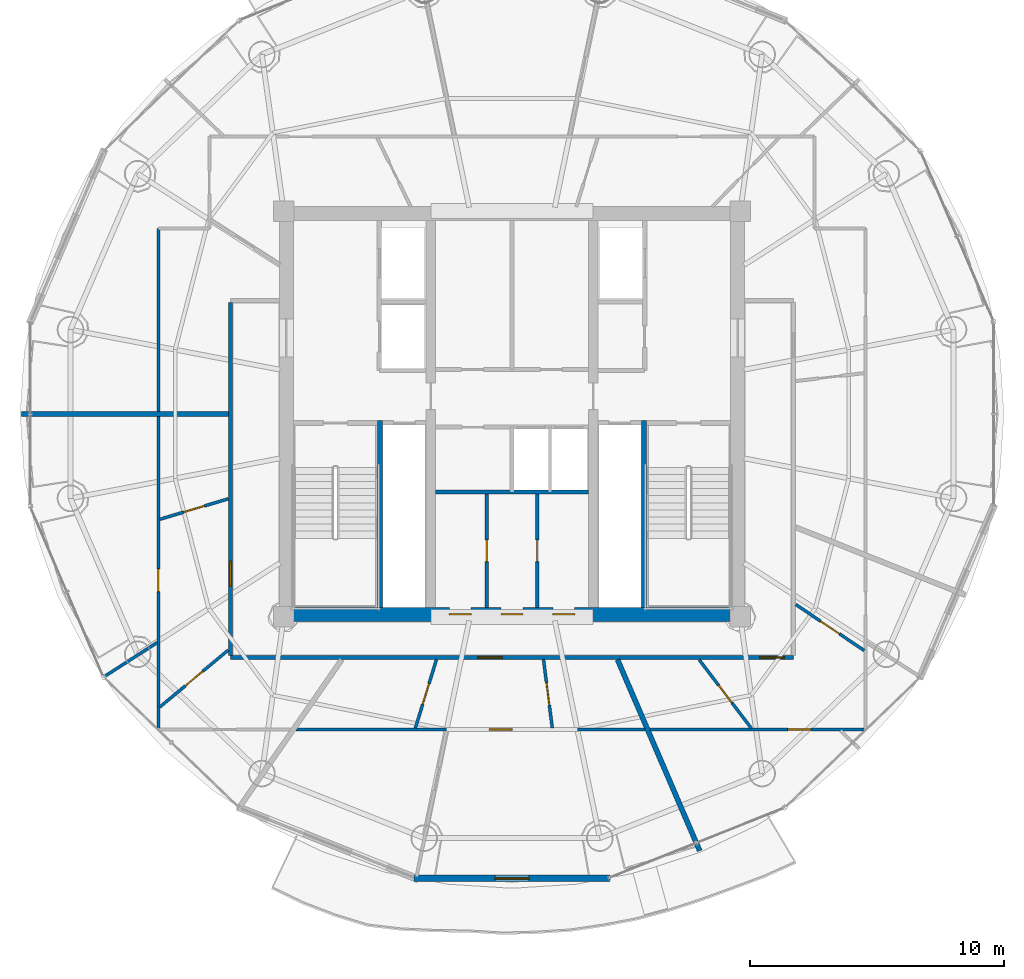
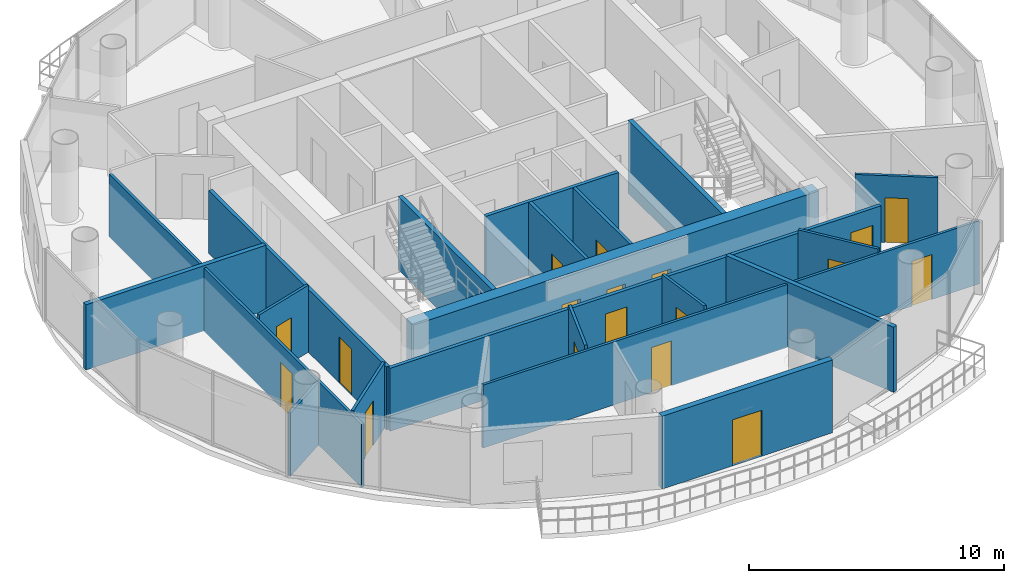
# One storey, part 18 of 24: 22 walls, 18 doors, 18 openings.
"""IFC4 building model written with IfcOpenShell, lengths in metres."""

from ifc_helpers import new_model, si_unit, direction, frame, frame_2d, origin, place, context, subcontext, project, spatial, rectangle, extrude, source, transform, mapped, material, layer, layer_set, type_object, element, fill, save


model = new_model("IFC4")

# Units and contexts
model_context = context("Model", 3, precision=1e-05, world=origin(), true_north=direction((-0.2419218956, 0.970295726276)))
body_context = subcontext(model_context, "Body", "Model", "MODEL_VIEW")
ifc_project = project(units=[si_unit("LENGTHUNIT", "METRE"), si_unit("AREAUNIT", "SQUARE_METRE"), si_unit("VOLUMEUNIT", "CUBIC_METRE"), si_unit("PLANEANGLEUNIT", "RADIAN"), si_unit("MASSUNIT", "GRAM", prefix="KILO")], contexts=[model_context])

# Site, building, storey
site_placement = place(None, origin())
site = spatial("IfcSite", under=ifc_project, at=site_placement, CompositionType="ELEMENT")
building_placement = place(site_placement, origin())
building = spatial("IfcBuilding", under=site, at=building_placement, Name="Cobrevalo Terracotta Tower", CompositionType="ELEMENT")
storey_placement = place(building_placement, frame((0.0, 0.0, 270.699951171875)))
storey = spatial("IfcBuildingStorey", under=building, at=storey_placement, Name="L71", CompositionType="ELEMENT", Elevation=270.699951171875)

# Wall, openings, doors
ifc_material_1 = material(Name="Concrete C50", Category="concrete")
ifc_layer_1 = layer(ifc_material_1, 0.550048828125)
ifc_layer_set_1 = layer_set([ifc_layer_1], Name="Concrete C50")
wall_type_1 = type_object("IfcWallType", Name="Core shear wall 550 mm Concrete C50", PredefinedType="SHEAR", material=ifc_layer_set_1)
wall_1_placement = place(storey_placement, frame((28.824951171875, 18.89990234375, 0.0), z_axis=(0.0, 0.0, 1.0), x_axis=(1.0, 0.0, 0.0)))
wall_1 = element("IfcWall", 1, at=wall_1_placement, inside=storey, type_object=wall_type_1, Name="L71 south core shear wall", PredefinedType="SHEAR", context=body_context, shape_type="SweptSolid", body=[
    extrude(rectangle(XDim=18.35009765625, YDim=0.550048828125, at=frame_2d((9.175048828125, 0.0))), origin(), (0.0, 0.0, 1.0), 3.489990234375),
])
opening_1_placement = place(wall_1_placement, frame((6.7099609375, 0.0, 0.0)))
opening_1 = element("IfcOpeningElement", 2, at=opening_1_placement, cuts=wall_1, Name="Opening ID-22", PredefinedType="OPENING", context=body_context, shape_type="SweptSolid", body=[
    extrude(rectangle(XDim=0.85009765625, YDim=2.10009765625, at=frame_2d((0.425048828125, 1.050048828125))), frame((0.0, 0.28515625, 0.0), z_axis=(0.0, -1.0, 0.0), x_axis=(1.0, 0.0, 0.0)), (0.0, 0.0, 1.0), 0.570068359375),
])
opening_2_placement = place(wall_1_placement, frame((8.75, 0.0, 0.0)))
opening_2 = element("IfcOpeningElement", 3, at=opening_2_placement, cuts=wall_1, Name="Opening ID-22", PredefinedType="OPENING", context=body_context, shape_type="SweptSolid", body=[
    extrude(rectangle(XDim=0.85009765625, YDim=2.10009765625, at=frame_2d((0.425048828125, 1.050048828125))), frame((0.0, 0.28515625, 0.0), z_axis=(0.0, -1.0, 0.0), x_axis=(1.0, 0.0, 0.0)), (0.0, 0.0, 1.0), 0.570068359375),
])
opening_3_placement = place(wall_1_placement, frame((10.7900390625, 0.0, 0.0)))
opening_3 = element("IfcOpeningElement", 4, at=opening_3_placement, cuts=wall_1, Name="Opening ID-22", PredefinedType="OPENING", context=body_context, shape_type="SweptSolid", body=[
    extrude(rectangle(XDim=0.85009765625, YDim=2.10009765625, at=frame_2d((0.425048828125, 1.050048828125))), frame((0.0, 0.28515625, 0.0), z_axis=(0.0, -1.0, 0.0), x_axis=(1.0, 0.0, 0.0)), (0.0, 0.0, 1.0), 0.570068359375),
])
ifc_material_2 = material(Name="Powder-coated steel", Category="steel")
door_type_1 = type_object("IfcDoorType", Name="Riser shaft & meter closet fire access door 850x2100 EI 60", OperationType="NOTDEFINED", PredefinedType="DOOR", material=ifc_material_2)
shared_shape_1 = source(origin(), body_context, "Body", "SweptSolid", [
    extrude(rectangle(XDim=0.85009765625, YDim=2.10009765625, at=frame_2d((0.425048828125, 1.050048828125))), frame((0.0, 0.02490234375, 0.0), z_axis=(0.0, -1.0, 0.0), x_axis=(1.0, 0.0, 0.0)), (0.0, 0.0, 1.0), 0.050048828125),
])
door_1_placement = place(opening_1_placement, origin())
door_1 = element("IfcDoor", 5, at=door_1_placement, inside=storey, type_object=door_type_1, Name="L71 core south plant door HVAC Supply Air Plant", OperationType="SINGLE_SWING_RIGHT", OverallHeight=2.10009765625, OverallWidth=0.85009765625, PredefinedType="DOOR", context=body_context, shape_type="MappedRepresentation", body=[
    mapped(shared_shape_1, transform((0.0, 0.0, 0.0), scale=1.0)),
])
fill(opening_1, door_1)
door_2_placement = place(opening_2_placement, origin())
door_2 = element("IfcDoor", 6, at=door_2_placement, inside=storey, type_object=door_type_1, Name="L71 core south plant door Refuse Chute Store Room", OperationType="SINGLE_SWING_RIGHT", OverallHeight=2.10009765625, OverallWidth=0.85009765625, PredefinedType="DOOR", context=body_context, shape_type="MappedRepresentation", body=[
    mapped(shared_shape_1, transform((0.0, 0.0, 0.0), scale=1.0)),
])
fill(opening_2, door_2)
door_3_placement = place(opening_3_placement, origin())
door_3 = element("IfcDoor", 7, at=door_3_placement, inside=storey, type_object=door_type_1, Name="L71 core south plant door Hydronic Pump Manifold Plant", OperationType="SINGLE_SWING_RIGHT", OverallHeight=2.10009765625, OverallWidth=0.85009765625, PredefinedType="DOOR", context=body_context, shape_type="MappedRepresentation", body=[
    mapped(shared_shape_1, transform((0.0, 0.0, 0.0), scale=1.0)),
])
fill(opening_3, door_3)

# Wall
ifc_material_3 = material(Name="Gypsum board on steel stud", Category="steel")
ifc_layer_2 = layer(ifc_material_3, 0.159912109375)
ifc_layer_set_2 = layer_set([ifc_layer_2], Name="Gypsum board on steel stud")
wall_type_2 = type_object("IfcWallType", Name="Fire-rated corridor acoustic partition wall 160 mm", PredefinedType="PARTITIONING", material=ifc_layer_set_2)
wall_2_placement = place(storey_placement, frame((34.989990234375, 23.719970703125, 0.0), z_axis=(0.0, 0.0, 1.0), x_axis=(1.0, 0.0, 0.0)))
element("IfcWall", 8, at=wall_2_placement, inside=storey, type_object=wall_type_2, Name="L71 interior partition IW-L71-MB-S", PredefinedType="PARTITIONING", context=body_context, shape_type="SweptSolid", body=[
    extrude(rectangle(XDim=6.02001953125, YDim=0.159912109375, at=frame_2d((3.010009765625, 0.0))), origin(), (0.0, 0.0, 1.0), 3.489990234375),
])

# Wall, openings, doors
wall_3_placement = place(storey_placement, frame((26.89501953125, 17.195068359375, 0.0), z_axis=(0.0, 0.0, 1.0), x_axis=(1.0, 0.0, 0.0)))
wall_3 = element("IfcWall", 9, at=wall_3_placement, inside=storey, type_object=wall_type_2, Name="L71 interior partition IW-L71-COR-S", PredefinedType="PARTITIONING", context=body_context, shape_type="SweptSolid", body=[
    extrude(rectangle(XDim=22.2099609375, YDim=0.159912109375, at=frame_2d((11.10498046875, 0.0))), origin(), (0.0, 0.0, 1.0), 3.01513671875),
])
opening_4_placement = place(wall_3_placement, frame((9.746337890625, 0.0, 0.0)))
opening_4 = element("IfcOpeningElement", 10, at=opening_4_placement, cuts=wall_3, Name="Opening ID-05", PredefinedType="OPENING", context=body_context, shape_type="SweptSolid", body=[
    extrude(rectangle(XDim=0.97998046875, YDim=2.199951171875, at=frame_2d((0.489990234375, 1.10009765625))), frame((0.0, 0.08984375, 0.0), z_axis=(0.0, -1.0, 0.0), x_axis=(1.0, 0.0, 0.0)), (0.0, 0.0, 1.0), 0.179931640625),
])
opening_5_placement = place(wall_3_placement, frame((20.8642578125, 0.0, 0.0)))
opening_5 = element("IfcOpeningElement", 11, at=opening_5_placement, cuts=wall_3, Name="Opening ID-05", PredefinedType="OPENING", context=body_context, shape_type="SweptSolid", body=[
    extrude(rectangle(XDim=0.97998046875, YDim=2.199951171875, at=frame_2d((0.489990234375, 1.10009765625))), frame((0.0, 0.08984375, 0.0), z_axis=(0.0, -1.0, 0.0), x_axis=(1.0, 0.0, 0.0)), (0.0, 0.0, 1.0), 0.179931640625),
])
ifc_material_4 = material(Name="Solid hardwood timber", Category="wood")
door_type_2 = type_object("IfcDoorType", Name="Residence entrance fire-rated acoustic timber door 980x2200 EI 60", OperationType="NOTDEFINED", PredefinedType="DOOR", material=ifc_material_4)
shared_shape_2 = source(origin(), body_context, "Body", "SweptSolid", [
    extrude(rectangle(XDim=0.97998046875, YDim=2.199951171875, at=frame_2d((0.489990234375, 1.10009765625))), frame((0.0, 0.02490234375, 0.0), z_axis=(0.0, -1.0, 0.0), x_axis=(1.0, 0.0, 0.0)), (0.0, 0.0, 1.0), 0.050048828125),
])
door_4_placement = place(opening_4_placement, frame((0.97998046875, 0.0, 0.0), z_axis=(0.0, 0.0, 1.0), x_axis=(-1.0, 0.0, 0.0)))
door_4 = element("IfcDoor", 12, at=door_4_placement, inside=storey, type_object=door_type_2, Name="Flat L71C fire-rated apartment entrance door", OperationType="SINGLE_SWING_RIGHT", OverallHeight=2.199951171875, OverallWidth=0.97998046875, PredefinedType="DOOR", context=body_context, shape_type="MappedRepresentation", body=[
    mapped(shared_shape_2, transform((0.0, 0.0, 0.0), scale=1.0)),
])
fill(opening_4, door_4)
door_5_placement = place(opening_5_placement, frame((0.97998046875, 0.0, 0.0), z_axis=(0.0, 0.0, 1.0), x_axis=(-1.0, 0.0, 0.0)))
door_5 = element("IfcDoor", 13, at=door_5_placement, inside=storey, type_object=door_type_2, Name="Flat L71D fire-rated apartment entrance door", OperationType="SINGLE_SWING_LEFT", OverallHeight=2.199951171875, OverallWidth=0.97998046875, PredefinedType="DOOR", context=body_context, shape_type="MappedRepresentation", body=[
    mapped(shared_shape_2, transform((0.0, 0.0, 0.0), scale=1.0)),
])
fill(opening_5, door_5)

# Wall, opening, door
wall_4_placement = place(storey_placement, frame((26.89501953125, 17.27490234375, 0.0), z_axis=(0.0, 0.0, 1.0), x_axis=(0.0, 1.0, 0.0)))
wall_4 = element("IfcWall", 14, at=wall_4_placement, inside=storey, type_object=wall_type_2, Name="L71 interior partition IW-L71-COR-W", PredefinedType="PARTITIONING", context=body_context, shape_type="SweptSolid", body=[
    extrude(rectangle(XDim=13.925048828125, YDim=0.159912109375, at=frame_2d((6.96240234375, 0.0))), origin(), (0.0, 0.0, 1.0), 3.01513671875),
])
opening_6_placement = place(wall_4_placement, frame((2.734619140625, 0.0, 0.0)))
opening_6 = element("IfcOpeningElement", 15, at=opening_6_placement, cuts=wall_4, Name="Opening ID-05", PredefinedType="OPENING", context=body_context, shape_type="SweptSolid", body=[
    extrude(rectangle(XDim=0.97998046875, YDim=2.199951171875, at=frame_2d((0.489990234375, 1.10009765625))), frame((0.0, 0.08984375, 0.0), z_axis=(0.0, -1.0, 0.0), x_axis=(1.0, 0.0, 0.0)), (0.0, 0.0, 1.0), 0.179931640625),
])
door_6_placement = place(opening_6_placement, origin())
door_6 = element("IfcDoor", 16, at=door_6_placement, inside=storey, type_object=door_type_2, Name="Flat L71B fire-rated apartment entrance door", OperationType="SINGLE_SWING_LEFT", OverallHeight=2.199951171875, OverallWidth=0.97998046875, PredefinedType="DOOR", context=body_context, shape_type="MappedRepresentation", body=[
    mapped(shared_shape_2, transform((0.0, 0.0, 0.0), scale=1.0)),
])
fill(opening_6, door_6)

# Walls
ifc_material_5 = material(Name="Autoclaved aerated concrete block", Category="concrete")
ifc_layer_3 = layer(ifc_material_5, 0.199951171875)
ifc_layer_set_3 = layer_set([ifc_layer_3], Name="Autoclaved aerated concrete block")
wall_type_3 = type_object("IfcWallType", Name="Fire-rated stair, shaft & demising masonry wall 200 mm", PredefinedType="PARTITIONING", material=ifc_layer_set_3)
wall_5_placement = place(storey_placement, frame((26.81494140625, 26.800048828125, 0.0), z_axis=(0.0, 0.0, 1.0), x_axis=(-1.0, 0.0, 0.0)))
element("IfcWall", 17, at=wall_5_placement, inside=storey, type_object=wall_type_3, Name="L71 interior partition IW-L71-DEM-2", PredefinedType="PARTITIONING", context=body_context, shape_type="SweptSolid", body=[
    extrude(rectangle(XDim=8.155029296875, YDim=0.199951171875, at=frame_2d((4.07763671875, 0.0))), origin(), (0.0, 0.0, 1.0), 3.12109375),
])
wall_6_placement = place(storey_placement, frame((42.161865234375, 17.114990234375, 0.0), z_axis=(0.0, 0.0, 1.0), x_axis=(0.394795631127, -0.918768964236, 0.0)))
element("IfcWall", 18, at=wall_6_placement, inside=storey, type_object=wall_type_3, Name="L71 interior partition IW-L71-DEM-4", PredefinedType="PARTITIONING", context=body_context, shape_type="SweptSolid", body=[
    extrude(rectangle(XDim=8.202392578125, YDim=0.199951171875, at=frame_2d((4.10107421875, 0.0))), origin(), (0.0, 0.0, 1.0), 3.12109375),
])

# Wall, opening, door
ifc_layer_4 = layer(ifc_material_5, 0.139892578125)
ifc_layer_set_4 = layer_set([ifc_layer_4], Name="Autoclaved aerated concrete block")
wall_type_4 = type_object("IfcWallType", Name="Moisture-resistant wet-room & core service partition 140 mm", PredefinedType="PARTITIONING", material=ifc_layer_set_4)
wall_7_placement = place(storey_placement, frame((37.0, 19.175048828125, 0.0), z_axis=(0.0, 0.0, 1.0), x_axis=(0.0, 1.0, 0.0)))
wall_7 = element("IfcWall", 19, at=wall_7_placement, inside=storey, type_object=wall_type_4, Name="L71 interior partition IW-L71-KVS-V1", PredefinedType="PARTITIONING", context=body_context, shape_type="SweptSolid", body=[
    extrude(rectangle(XDim=4.46484375, YDim=0.139892578125, at=frame_2d((2.232421875, 0.0))), origin(), (0.0, 0.0, 1.0), 3.489990234375),
])
opening_7_placement = place(wall_7_placement, frame((1.8076171875, 0.0, 0.0)))
opening_7 = element("IfcOpeningElement", 20, at=opening_7_placement, cuts=wall_7, Name="Opening ID-22", PredefinedType="OPENING", context=body_context, shape_type="SweptSolid", body=[
    extrude(rectangle(XDim=0.85009765625, YDim=2.10009765625, at=frame_2d((0.425048828125, 1.050048828125))), frame((0.0, 0.080078125, 0.0), z_axis=(0.0, -1.0, 0.0), x_axis=(1.0, 0.0, 0.0)), (0.0, 0.0, 1.0), 0.159912109375),
])
door_7_placement = place(opening_7_placement, origin())
door_7 = element("IfcDoor", 21, at=door_7_placement, inside=storey, type_object=door_type_1, Name="L71 core KVS-V1 inner door", OperationType="SINGLE_SWING_LEFT", OverallHeight=2.10009765625, OverallWidth=0.85009765625, PredefinedType="DOOR", context=body_context, shape_type="MappedRepresentation", body=[
    mapped(shared_shape_1, transform((0.0, 0.0, 0.0), scale=1.0)),
])
fill(opening_7, door_7)

wall_8_placement = place(storey_placement, frame((39.0, 19.175048828125, 0.0), z_axis=(0.0, 0.0, 1.0), x_axis=(0.0, 1.0, 0.0)))
wall_8 = element("IfcWall", 22, at=wall_8_placement, inside=storey, type_object=wall_type_4, Name="L71 interior partition IW-L71-KVS-V2", PredefinedType="PARTITIONING", context=body_context, shape_type="SweptSolid", body=[
    extrude(rectangle(XDim=4.46484375, YDim=0.139892578125, at=frame_2d((2.232421875, 0.0))), origin(), (0.0, 0.0, 1.0), 3.489990234375),
])
opening_8_placement = place(wall_8_placement, frame((1.8076171875, 0.0, 0.0)))
opening_8 = element("IfcOpeningElement", 23, at=opening_8_placement, cuts=wall_8, Name="Opening ID-22", PredefinedType="OPENING", context=body_context, shape_type="SweptSolid", body=[
    extrude(rectangle(XDim=0.85009765625, YDim=2.10009765625, at=frame_2d((0.425048828125, 1.050048828125))), frame((0.0, 0.080078125, 0.0), z_axis=(0.0, -1.0, 0.0), x_axis=(1.0, 0.0, 0.0)), (0.0, 0.0, 1.0), 0.159912109375),
])
door_8_placement = place(opening_8_placement, origin())
door_8 = element("IfcDoor", 24, at=door_8_placement, inside=storey, type_object=door_type_1, Name="L71 core KVS-V2 inner door", OperationType="SINGLE_SWING_LEFT", OverallHeight=2.10009765625, OverallWidth=0.85009765625, PredefinedType="DOOR", context=body_context, shape_type="MappedRepresentation", body=[
    mapped(shared_shape_1, transform((0.0, 0.0, 0.0), scale=1.0)),
])
fill(opening_8, door_8)

ifc_layer_5 = layer(ifc_material_5, 0.260009765625)
ifc_layer_set_5 = layer_set([ifc_layer_5], Name="Autoclaved aerated concrete block")
wall_type_5 = type_object("IfcWallType", Name="Recessed balcony loggia insulated exterior wall 260 mm", PredefinedType="SOLIDWALL", material=ifc_layer_set_5)
wall_9_placement = place(storey_placement, frame((34.14111328125, 8.48876953125, 0.0), z_axis=(0.0, 0.0, 1.0), x_axis=(1.0, 0.0, 0.0)))
wall_9 = element("IfcWall", 25, at=wall_9_placement, inside=storey, type_object=wall_type_5, Name="L71 balcony loggia wall S12", PredefinedType="SOLIDWALL", context=body_context, shape_type="SweptSolid", body=[
    extrude(rectangle(XDim=7.7177734375, YDim=0.260009765625, at=frame_2d((3.85888671875, 0.0))), origin(), (0.0, 0.0, 1.0), 3.489990234375),
])
opening_9_placement = place(wall_9_placement, frame((3.183837890625, 0.0, 0.0)))
opening_9 = element("IfcOpeningElement", 26, at=opening_9_placement, cuts=wall_9, Name="Opening ED-05", PredefinedType="OPENING", context=body_context, shape_type="SweptSolid", body=[
    extrude(rectangle(XDim=1.35009765625, YDim=2.199951171875, at=frame_2d((0.675048828125, 1.10009765625))), frame((0.0, 0.14013671875, 0.0), z_axis=(0.0, -1.0, 0.0), x_axis=(1.0, 0.0, 0.0)), (0.0, 0.0, 1.0), 0.280029296875),
])
ifc_material_6 = material(Name="Anodized aluminium and laminated glass", Category="aluminium")
door_type_3 = type_object("IfcDoorType", Name="Suite balcony acoustic glazed terrace door 1350x2200", OperationType="NOTDEFINED", PredefinedType="DOOR", material=ifc_material_6)
shared_shape_3 = source(origin(), body_context, "Body", "SweptSolid", [
    extrude(rectangle(XDim=1.35009765625, YDim=2.199951171875, at=frame_2d((0.675048828125, 1.10009765625))), frame((0.0, 0.02490234375, 0.0), z_axis=(0.0, -1.0, 0.0), x_axis=(1.0, 0.0, 0.0)), (0.0, 0.0, 1.0), 0.050048828125),
])
door_9_placement = place(opening_9_placement, frame((1.35009765625, 0.0, 0.0), z_axis=(0.0, 0.0, 1.0), x_axis=(-1.0, 0.0, 0.0)))
door_9 = element("IfcDoor", 27, at=door_9_placement, inside=storey, type_object=door_type_3, Name="L71 glazed balcony terrace door 2", OperationType="SINGLE_SWING_RIGHT", OverallHeight=2.199951171875, OverallWidth=1.35009765625, PredefinedType="DOOR", context=body_context, shape_type="MappedRepresentation", body=[
    mapped(shared_shape_3, transform((0.0, 0.0, 0.0), scale=1.0)),
])
fill(opening_9, door_9)

# Wall
ifc_layer_6 = layer(ifc_material_3, 0.1201171875)
ifc_layer_set_6 = layer_set([ifc_layer_6], Name="Gypsum board on steel stud")
wall_type_6 = type_object("IfcWallType", Name="Residential internal acoustic stud partition 120 mm", PredefinedType="PARTITIONING", material=ifc_layer_set_6)
wall_10_placement = place(storey_placement, frame((24.054931640625, 26.902099609375, 0.0), z_axis=(0.0, 0.0, 1.0), x_axis=(0.0, 1.0, 0.0)))
element("IfcWall", 28, at=wall_10_placement, inside=storey, type_object=wall_type_6, Name="L71 interior partition IW-L71-U1-RING0_0", PredefinedType="PARTITIONING", context=body_context, shape_type="SweptSolid", body=[
    extrude(rectangle(XDim=7.218017578125, YDim=0.1201171875, at=frame_2d((3.60888671875, 0.0))), origin(), (0.0, 0.0, 1.0), 3.01513671875),
])

# Wall, opening, door
wall_11_placement = place(storey_placement, frame((24.054931640625, 14.35498046875, 0.0), z_axis=(0.0, 0.0, 1.0), x_axis=(0.0, 1.0, 0.0)))
wall_11 = element("IfcWall", 29, at=wall_11_placement, inside=storey, type_object=wall_type_6, Name="L71 interior partition IW-L71-U2-RING1_0", PredefinedType="PARTITIONING", context=body_context, shape_type="SweptSolid", body=[
    extrude(rectangle(XDim=12.343017578125, YDim=0.1201171875, at=frame_2d((6.17138671875, 0.0))), origin(), (0.0, 0.0, 1.0), 3.01513671875),
])
opening_10_placement = place(wall_11_placement, frame((5.442138671875, 0.0, 0.0)))
opening_10 = element("IfcOpeningElement", 30, at=opening_10_placement, cuts=wall_11, Name="Opening ID-12", PredefinedType="OPENING", context=body_context, shape_type="SweptSolid", body=[
    extrude(rectangle(XDim=0.89990234375, YDim=2.14990234375, at=frame_2d((0.449951171875, 1.074951171875))), frame((0.0, 0.070068359375, 0.0), z_axis=(0.0, -1.0, 0.0), x_axis=(1.0, 0.0, 0.0)), (0.0, 0.0, 1.0), 0.14013671875),
])
ifc_material_7 = material(Name="Engineered timber", Category="wood")
door_type_4 = type_object("IfcDoorType", Name="Internal residence & suite timber door 900x2150", OperationType="NOTDEFINED", PredefinedType="DOOR", material=ifc_material_7)
shared_shape_4 = source(origin(), body_context, "Body", "SweptSolid", [
    extrude(rectangle(XDim=0.89990234375, YDim=2.14990234375, at=frame_2d((0.449951171875, 1.074951171875))), frame((0.0, 0.02490234375, 0.0), z_axis=(0.0, -1.0, 0.0), x_axis=(1.0, 0.0, 0.0)), (0.0, 0.0, 1.0), 0.050048828125),
])
door_10_placement = place(opening_10_placement, origin())
door_10 = element("IfcDoor", 31, at=door_10_placement, inside=storey, type_object=door_type_4, Name="Flat L71B Living and Dining Room internal door", OperationType="SINGLE_SWING_LEFT", OverallHeight=2.14990234375, OverallWidth=0.89990234375, PredefinedType="DOOR", context=body_context, shape_type="MappedRepresentation", body=[
    mapped(shared_shape_4, transform((0.0, 0.0, 0.0), scale=1.0)),
])
fill(opening_10, door_10)

# Wall
wall_12_placement = place(storey_placement, frame((24.0029296875, 17.784912109375, 0.0), z_axis=(0.0, 0.0, 1.0), x_axis=(-0.840715962824, -0.541476379774, 0.0)))
element("IfcWall", 32, at=wall_12_placement, inside=storey, type_object=wall_type_6, Name="L71 interior partition IW-L71-U2-ORAD1", PredefinedType="PARTITIONING", context=body_context, shape_type="SweptSolid", body=[
    extrude(rectangle(XDim=2.43701171875, YDim=0.1201171875, at=frame_2d((1.218505859375, 0.0))), origin(), (0.0, 0.0, 1.0), 3.01513671875),
])

# Wall, opening, door
wall_13_placement = place(storey_placement, frame((26.81494140625, 23.4560546875, 0.0), z_axis=(0.0, 0.0, 1.0), x_axis=(-0.958095258025, -0.286449780154, 0.0)))
wall_13 = element("IfcWall", 33, at=wall_13_placement, inside=storey, type_object=wall_type_6, Name="L71 interior partition IW-L71-U2-IRAD1", PredefinedType="PARTITIONING", context=body_context, shape_type="SweptSolid", body=[
    extrude(rectangle(XDim=2.818603515625, YDim=0.1201171875, at=frame_2d((1.4091796875, 0.0))), origin(), (0.0, 0.0, 1.0), 3.208984375),
])
opening_11_placement = place(wall_13_placement, frame((0.9794921875, 0.0, 0.0)))
opening_11 = element("IfcOpeningElement", 34, at=opening_11_placement, cuts=wall_13, Name="Opening ID-19", PredefinedType="OPENING", context=body_context, shape_type="SweptSolid", body=[
    extrude(rectangle(XDim=0.860107421875, YDim=2.14990234375, at=frame_2d((0.43017578125, 1.074951171875))), frame((0.0, 0.070068359375, 0.0), z_axis=(0.0, -1.0, 0.0), x_axis=(1.0, 0.0, 0.0)), (0.0, 0.0, 1.0), 0.14013671875),
])
ifc_material_8 = material(Name="Moisture-sealed timber", Category="wood")
door_type_5 = type_object("IfcDoorType", Name="Suite bathroom internal timber door 860x2150", OperationType="NOTDEFINED", PredefinedType="DOOR", material=ifc_material_8)
shared_shape_5 = source(origin(), body_context, "Body", "SweptSolid", [
    extrude(rectangle(XDim=0.860107421875, YDim=2.14990234375, at=frame_2d((0.43017578125, 1.074951171875))), frame((0.0, 0.02490234375, 0.0), z_axis=(0.0, -1.0, 0.0), x_axis=(1.0, 0.0, 0.0)), (0.0, 0.0, 1.0), 0.050048828125),
])
door_11_placement = place(opening_11_placement, frame((0.860107421875, 0.0, 0.0), z_axis=(0.0, 0.0, 1.0), x_axis=(-1.0, 0.0, 0.0)))
door_11 = element("IfcDoor", 35, at=door_11_placement, inside=storey, type_object=door_type_5, Name="Flat L71B Primary Bathroom internal door", OperationType="SINGLE_SWING_RIGHT", OverallHeight=2.14990234375, OverallWidth=0.860107421875, PredefinedType="DOOR", context=body_context, shape_type="MappedRepresentation", body=[
    mapped(shared_shape_5, transform((0.0, 0.0, 0.0), scale=1.0)),
])
fill(opening_11, door_11)

wall_14_placement = place(storey_placement, frame((26.81494140625, 17.493408203125, 0.0), z_axis=(0.0, 0.0, 1.0), x_axis=(-0.768708794437, -0.639598928513, 0.0)))
wall_14 = element("IfcWall", 36, at=wall_14_placement, inside=storey, type_object=wall_type_6, Name="L71 interior partition IW-L71-U2-IRAD2", PredefinedType="PARTITIONING", context=body_context, shape_type="SweptSolid", body=[
    extrude(rectangle(XDim=3.528564453125, YDim=0.1201171875, at=frame_2d((1.76416015625, 0.0))), origin(), (0.0, 0.0, 1.0), 3.12109375),
])
opening_12_placement = place(wall_14_placement, frame((1.314208984375, 0.0, 0.0)))
opening_12 = element("IfcOpeningElement", 37, at=opening_12_placement, cuts=wall_14, Name="Opening ID-12", PredefinedType="OPENING", context=body_context, shape_type="SweptSolid", body=[
    extrude(rectangle(XDim=0.89990234375, YDim=2.14990234375, at=frame_2d((0.449951171875, 1.074951171875))), frame((0.0, 0.070068359375, 0.0), z_axis=(0.0, -1.0, 0.0), x_axis=(1.0, 0.0, 0.0)), (0.0, 0.0, 1.0), 0.14013671875),
])
door_12_placement = place(opening_12_placement, origin())
door_12 = element("IfcDoor", 38, at=door_12_placement, inside=storey, type_object=door_type_4, Name="Flat L71B Kitchen internal door", OperationType="SINGLE_SWING_RIGHT", OverallHeight=2.14990234375, OverallWidth=0.89990234375, PredefinedType="DOOR", context=body_context, shape_type="MappedRepresentation", body=[
    mapped(shared_shape_4, transform((0.0, 0.0, 0.0), scale=1.0)),
])
fill(opening_12, door_12)

wall_15_placement = place(storey_placement, frame((43.245849609375, 14.35498046875, 0.0), z_axis=(0.0, 0.0, 1.0), x_axis=(-1.0, 0.0, 0.0)))
wall_15 = element("IfcWall", 39, at=wall_15_placement, inside=storey, type_object=wall_type_6, Name="L71 interior partition IW-L71-U3-RING0_0", PredefinedType="PARTITIONING", context=body_context, shape_type="SweptSolid", body=[
    extrude(rectangle(XDim=13.7705078125, YDim=0.1201171875, at=frame_2d((6.88525390625, 0.0))), origin(), (0.0, 0.0, 1.0), 3.01513671875),
])
opening_13_placement = place(wall_15_placement, frame((5.244140625, 0.0, 0.0)))
opening_13 = element("IfcOpeningElement", 40, at=opening_13_placement, cuts=wall_15, Name="Opening ID-12", PredefinedType="OPENING", context=body_context, shape_type="SweptSolid", body=[
    extrude(rectangle(XDim=0.89990234375, YDim=2.14990234375, at=frame_2d((0.449951171875, 1.074951171875))), frame((0.0, 0.070068359375, 0.0), z_axis=(0.0, -1.0, 0.0), x_axis=(1.0, 0.0, 0.0)), (0.0, 0.0, 1.0), 0.14013671875),
])
door_13_placement = place(opening_13_placement, origin())
door_13 = element("IfcDoor", 41, at=door_13_placement, inside=storey, type_object=door_type_4, Name="Flat L71C Master Bedroom internal door", OperationType="SINGLE_SWING_LEFT", OverallHeight=2.14990234375, OverallWidth=0.89990234375, PredefinedType="DOOR", context=body_context, shape_type="MappedRepresentation", body=[
    mapped(shared_shape_4, transform((0.0, 0.0, 0.0), scale=1.0)),
])
fill(opening_13, door_13)

wall_16_placement = place(storey_placement, frame((35.020263671875, 17.114990234375, 0.0), z_axis=(0.0, 0.0, 1.0), x_axis=(-0.294110134522, -0.955771535866, 0.0)))
wall_16 = element("IfcWall", 42, at=wall_16_placement, inside=storey, type_object=wall_type_6, Name="L71 interior partition IW-L71-U3-IRAD1", PredefinedType="PARTITIONING", context=body_context, shape_type="SweptSolid", body=[
    extrude(rectangle(XDim=2.82568359375, YDim=0.1201171875, at=frame_2d((1.412841796875, 0.0))), origin(), (0.0, 0.0, 1.0), 3.208984375),
])
opening_14_placement = place(wall_16_placement, frame((0.98291015625, 0.0, 0.0)))
opening_14 = element("IfcOpeningElement", 43, at=opening_14_placement, cuts=wall_16, Name="Opening ID-19", PredefinedType="OPENING", context=body_context, shape_type="SweptSolid", body=[
    extrude(rectangle(XDim=0.860107421875, YDim=2.14990234375, at=frame_2d((0.43017578125, 1.074951171875))), frame((0.0, 0.070068359375, 0.0), z_axis=(0.0, -1.0, 0.0), x_axis=(1.0, 0.0, 0.0)), (0.0, 0.0, 1.0), 0.14013671875),
])
door_14_placement = place(opening_14_placement, frame((0.860107421875, 0.0, 0.0), z_axis=(0.0, 0.0, 1.0), x_axis=(-1.0, 0.0, 0.0)))
door_14 = element("IfcDoor", 44, at=door_14_placement, inside=storey, type_object=door_type_5, Name="Flat L71C Primary Bathroom internal door", OperationType="SINGLE_SWING_LEFT", OverallHeight=2.14990234375, OverallWidth=0.860107421875, PredefinedType="DOOR", context=body_context, shape_type="MappedRepresentation", body=[
    mapped(shared_shape_5, transform((0.0, 0.0, 0.0), scale=1.0)),
])
fill(opening_14, door_14)

wall_17_placement = place(storey_placement, frame((39.24267578125, 17.114990234375, 0.0), z_axis=(0.0, 0.0, 1.0), x_axis=(0.127336357758, -0.991859592882, 0.0)))
wall_17 = element("IfcWall", 45, at=wall_17_placement, inside=storey, type_object=wall_type_6, Name="L71 interior partition IW-L71-U3-IRAD2", PredefinedType="PARTITIONING", context=body_context, shape_type="SweptSolid", body=[
    extrude(rectangle(XDim=2.720703125, YDim=0.1201171875, at=frame_2d((1.3603515625, 0.0))), origin(), (0.0, 0.0, 1.0), 3.208984375),
])
opening_15_placement = place(wall_17_placement, frame((0.910400390625, 0.0, 0.0)))
opening_15 = element("IfcOpeningElement", 46, at=opening_15_placement, cuts=wall_17, Name="Opening ID-12", PredefinedType="OPENING", context=body_context, shape_type="SweptSolid", body=[
    extrude(rectangle(XDim=0.89990234375, YDim=2.14990234375, at=frame_2d((0.449951171875, 1.074951171875))), frame((0.0, 0.070068359375, 0.0), z_axis=(0.0, -1.0, 0.0), x_axis=(1.0, 0.0, 0.0)), (0.0, 0.0, 1.0), 0.14013671875),
])
door_15_placement = place(opening_15_placement, origin())
door_15 = element("IfcDoor", 47, at=door_15_placement, inside=storey, type_object=door_type_4, Name="Flat L71C Kitchen internal door", OperationType="SINGLE_SWING_RIGHT", OverallHeight=2.14990234375, OverallWidth=0.89990234375, PredefinedType="DOOR", context=body_context, shape_type="MappedRepresentation", body=[
    mapped(shared_shape_4, transform((0.0, 0.0, 0.0), scale=1.0)),
])
fill(opening_15, door_15)

wall_18_placement = place(storey_placement, frame((51.945068359375, 14.35498046875, 0.0), z_axis=(0.0, 0.0, 1.0), x_axis=(-1.0, 0.0, 0.0)))
wall_18 = element("IfcWall", 48, at=wall_18_placement, inside=storey, type_object=wall_type_6, Name="L71 interior partition IW-L71-U4-RING1_0", PredefinedType="PARTITIONING", context=body_context, shape_type="SweptSolid", body=[
    extrude(rectangle(XDim=8.4951171875, YDim=0.1201171875, at=frame_2d((4.24755859375, 0.0))), origin(), (0.0, 0.0, 1.0), 3.01513671875),
])
opening_16_placement = place(wall_18_placement, frame((2.164306640625, 0.0, 0.0)))
opening_16 = element("IfcOpeningElement", 49, at=opening_16_placement, cuts=wall_18, Name="Opening ID-12", PredefinedType="OPENING", context=body_context, shape_type="SweptSolid", body=[
    extrude(rectangle(XDim=0.89990234375, YDim=2.14990234375, at=frame_2d((0.449951171875, 1.074951171875))), frame((0.0, 0.070068359375, 0.0), z_axis=(0.0, -1.0, 0.0), x_axis=(1.0, 0.0, 0.0)), (0.0, 0.0, 1.0), 0.14013671875),
])
door_16_placement = place(opening_16_placement, origin())
door_16 = element("IfcDoor", 50, at=door_16_placement, inside=storey, type_object=door_type_4, Name="Flat L71D Living and Dining Room internal door", OperationType="SINGLE_SWING_LEFT", OverallHeight=2.14990234375, OverallWidth=0.89990234375, PredefinedType="DOOR", context=body_context, shape_type="MappedRepresentation", body=[
    mapped(shared_shape_4, transform((0.0, 0.0, 0.0), scale=1.0)),
])
fill(opening_16, door_16)

wall_19_placement = place(storey_placement, frame((45.376708984375, 17.114990234375, 0.0), z_axis=(0.0, 0.0, 1.0), x_axis=(0.60588776962, -0.795550130806, 0.0)))
wall_19 = element("IfcWall", 51, at=wall_19_placement, inside=storey, type_object=wall_type_6, Name="L71 interior partition IW-L71-U4-IRAD1", PredefinedType="PARTITIONING", context=body_context, shape_type="SweptSolid", body=[
    extrude(rectangle(XDim=3.4072265625, YDim=0.1201171875, at=frame_2d((1.70361328125, 0.0))), origin(), (0.0, 0.0, 1.0), 3.208984375),
])
opening_17_placement = place(wall_19_placement, frame((1.273681640625, 0.0, 0.0)))
opening_17 = element("IfcOpeningElement", 52, at=opening_17_placement, cuts=wall_19, Name="Opening ID-19", PredefinedType="OPENING", context=body_context, shape_type="SweptSolid", body=[
    extrude(rectangle(XDim=0.860107421875, YDim=2.14990234375, at=frame_2d((0.43017578125, 1.074951171875))), frame((0.0, 0.070068359375, 0.0), z_axis=(0.0, -1.0, 0.0), x_axis=(1.0, 0.0, 0.0)), (0.0, 0.0, 1.0), 0.14013671875),
])
door_17_placement = place(opening_17_placement, frame((0.860107421875, 0.0, 0.0), z_axis=(0.0, 0.0, 1.0), x_axis=(-1.0, 0.0, 0.0)))
door_17 = element("IfcDoor", 53, at=door_17_placement, inside=storey, type_object=door_type_5, Name="Flat L71D Primary Bathroom internal door", OperationType="SINGLE_SWING_RIGHT", OverallHeight=2.14990234375, OverallWidth=0.860107421875, PredefinedType="DOOR", context=body_context, shape_type="MappedRepresentation", body=[
    mapped(shared_shape_5, transform((0.0, 0.0, 0.0), scale=1.0)),
])
fill(opening_17, door_17)

wall_20_placement = place(storey_placement, frame((49.18505859375, 19.290283203125, 0.0), z_axis=(0.0, 0.0, 1.0), x_axis=(0.830215193761, -0.557443030316, 0.0)))
wall_20 = element("IfcWall", 54, at=wall_20_placement, inside=storey, type_object=wall_type_6, Name="L71 interior partition IW-L71-U4-IRAD2", PredefinedType="PARTITIONING", context=body_context, shape_type="SweptSolid", body=[
    extrude(rectangle(XDim=3.262451171875, YDim=0.1201171875, at=frame_2d((1.63134765625, 0.0))), origin(), (0.0, 0.0, 1.0), 3.208984375),
])
opening_18_placement = place(wall_20_placement, frame((1.18115234375, 0.0, 0.0)))
opening_18 = element("IfcOpeningElement", 55, at=opening_18_placement, cuts=wall_20, Name="Opening ID-12", PredefinedType="OPENING", context=body_context, shape_type="SweptSolid", body=[
    extrude(rectangle(XDim=0.89990234375, YDim=2.14990234375, at=frame_2d((0.449951171875, 1.074951171875))), frame((0.0, 0.070068359375, 0.0), z_axis=(0.0, -1.0, 0.0), x_axis=(1.0, 0.0, 0.0)), (0.0, 0.0, 1.0), 0.14013671875),
])
door_18_placement = place(opening_18_placement, origin())
door_18 = element("IfcDoor", 56, at=door_18_placement, inside=storey, type_object=door_type_4, Name="Flat L71D Kitchen internal door", OperationType="SINGLE_SWING_RIGHT", OverallHeight=2.14990234375, OverallWidth=0.89990234375, PredefinedType="DOOR", context=body_context, shape_type="MappedRepresentation", body=[
    mapped(shared_shape_4, transform((0.0, 0.0, 0.0), scale=1.0)),
])
fill(opening_18, door_18)

# Walls
ifc_layer_7 = layer(ifc_material_1, 0.199951171875)
ifc_layer_set_7 = layer_set([ifc_layer_7], Name="Concrete C50")
wall_type_7 = type_object("IfcWallType", Name="Structural core & podium stair-shaft RC wall 200 mm Concrete C50", PredefinedType="SOLIDWALL", material=ifc_layer_set_7)
for number, where, z_axis, x_axis, name in (
    (57, (32.794921875, 19.175048828125, 0.0), (0.0, 0.0, 1.0), (0.0, 1.0, 0.0), "L71 ST-1 east structural shaft wall"),
    (58, (43.205078125, 19.175048828125, 0.0), (0.0, 0.0, 1.0), (0.0, 1.0, 0.0), "L71 ST-2 west structural shaft wall"),
):
    element("IfcWall", number, at=place(storey_placement, frame(where, z_axis=z_axis, x_axis=x_axis)), inside=storey, type_object=wall_type_7, Name=name, PredefinedType="SOLIDWALL", context=body_context, shape_type="SweptSolid", body=[
        extrude(rectangle(XDim=7.375, YDim=0.199951171875, at=frame_2d((3.6875, 0.0))), origin(), (0.0, 0.0, 1.0), 3.489990234375),
    ])

save(model, "model.ifc")
